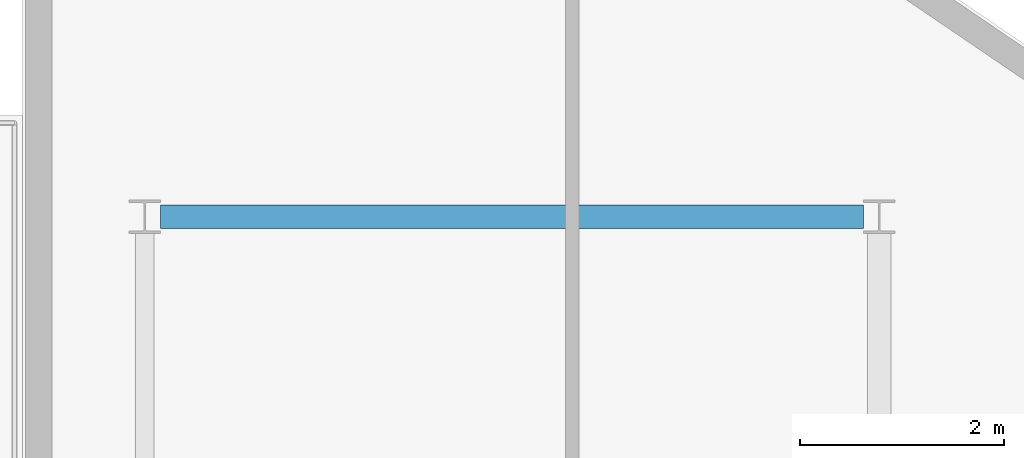
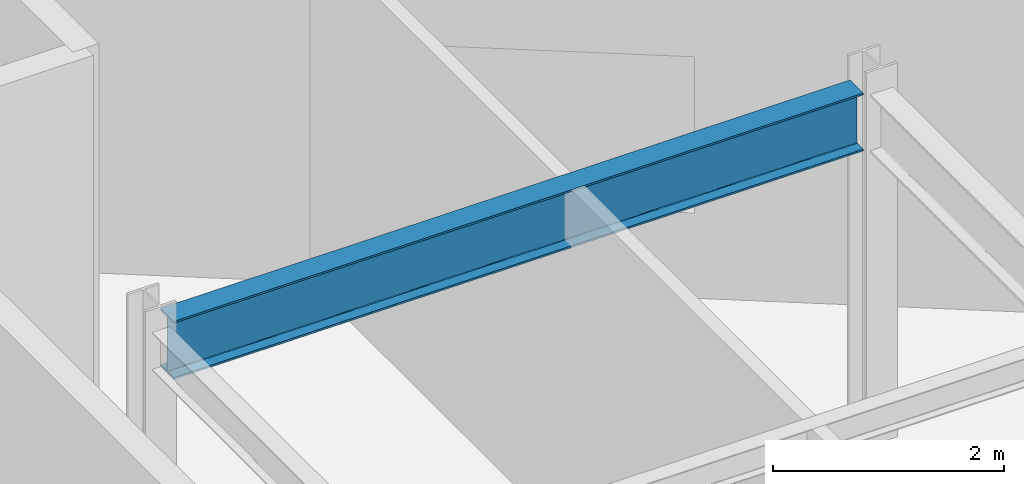
# One storey, part 10 of 22: 1 beam.
"""IFC4 building model written with IfcOpenShell, lengths in metres."""

from ifc_helpers import new_model, si_unit, direction, frame, origin, origin_2d, place, context, subcontext, project, spatial, i_section, extrude, material, material_profile, profile_set, type_object, element, save


model = new_model("IFC4")

# Units and contexts
model_context = context("Model", 3, precision=1e-05, world=origin(), true_north=direction((0.0, 1.0)))
body_context = subcontext(model_context, "Body", "Model", "MODEL_VIEW")
ifc_project = project(units=[si_unit("LENGTHUNIT", "METRE"), si_unit("AREAUNIT", "SQUARE_METRE"), si_unit("VOLUMEUNIT", "CUBIC_METRE"), si_unit("PLANEANGLEUNIT", "RADIAN"), si_unit("MASSUNIT", "GRAM", prefix="KILO")], contexts=[model_context])

# Site, building, storey
site_placement = place(None, origin())
site = spatial("IfcSite", under=ifc_project, at=site_placement, CompositionType="ELEMENT")
building_placement = place(site_placement, origin())
building = spatial("IfcBuilding", under=site, at=building_placement, Name="Varnakote Quay Hospital", CompositionType="ELEMENT")
storey_placement = place(building_placement, frame((0.0, 0.0, 62.0)))
storey = spatial("IfcBuildingStorey", under=building, at=storey_placement, Name="L15", CompositionType="ELEMENT", Elevation=62.0)

# Beam
ifc_material = material(Name="Structural steel AS/NZS 3679.1 Grade 350 L0 (fy 340 MPa)", Category="steel")
ifc_material_profile = material_profile(ifc_material, i_section(OverallWidth=0.22900390625, OverallDepth=0.612060546875, WebThickness=0.011962890625, FlangeThickness=0.01953125, FilletRadius=0.013916015625, at=origin_2d()), Name="610UB125")
ifc_profile_set = profile_set([ifc_material_profile], Name="Structural steel AS/NZS 3679.1 Grade 350 L0 (fy 340 MPa)")
beam_type = type_object("IfcBeamType", Name="BM-STL-610UB125", PredefinedType="BEAM", material=ifc_profile_set)
beam_placement = place(storey_placement, frame((1.35546875, 37.199951171875, 3.404052734375), z_axis=(1.0, 0.0, 0.0), x_axis=(0.0, 1.0, 0.0)))
element("IfcBeam", 1, at=beam_placement, inside=storey, type_object=beam_type, Name="L15 Primary Floor Beam", PredefinedType="BEAM", context=body_context, shape_type="SweptSolid", body=[
    extrude(i_section(OverallWidth=0.22900390625, OverallDepth=0.612060546875, WebThickness=0.011962890625, FlangeThickness=0.01953125, FilletRadius=0.013916015625, at=origin_2d()), origin(), (0.0, 0.0, 1.0), 6.888916015625),
])

save(model, "model.ifc")
